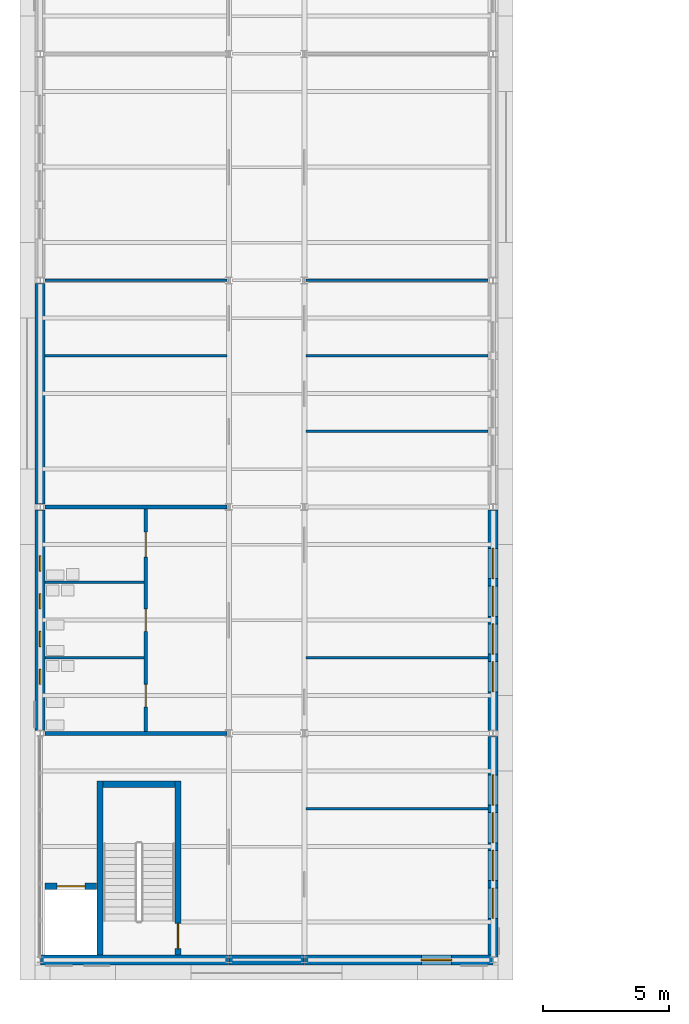
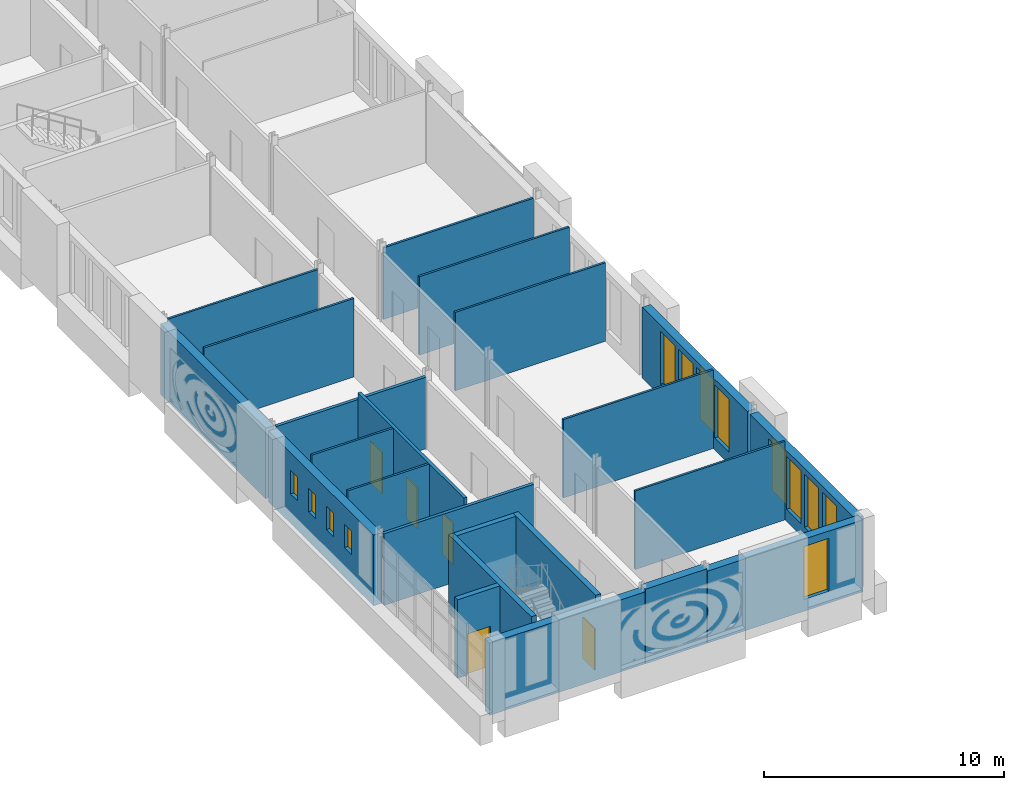
# One storey, part 87 of 121: 23 walls, 13 windows, 5 doors, 18 openings.
"""IFC4 building model written with IfcOpenShell, lengths in metres."""

from ifc_helpers import new_model, si_unit, direction, frame, frame_2d, origin, place, context, subcontext, project, spatial, rectangle, extrude, material, layer, layer_set, type_object, element, fill, save


model = new_model("IFC4")

# Units and contexts
model_context = context("Model", 3, precision=1e-05, world=origin(), true_north=direction((0.0, 1.0)))
body_context = subcontext(model_context, "Body", "Model", "MODEL_VIEW")
ifc_project = project(units=[si_unit("LENGTHUNIT", "METRE"), si_unit("AREAUNIT", "SQUARE_METRE"), si_unit("VOLUMEUNIT", "CUBIC_METRE"), si_unit("PLANEANGLEUNIT", "RADIAN"), si_unit("MASSUNIT", "GRAM", prefix="KILO")], contexts=[model_context])

# Site, building, storey
site_placement = place(None, origin())
site = spatial("IfcSite", under=ifc_project, at=site_placement, CompositionType="ELEMENT")
building_placement = place(site_placement, origin())
building = spatial("IfcBuilding", under=site, at=building_placement, Name="Golden Quay Civic Hall", CompositionType="ELEMENT")
storey_placement = place(building_placement, frame((0.0, 0.0, 18.60009765625)))
storey = spatial("IfcBuildingStorey", under=building, at=storey_placement, Name="L04", CompositionType="ELEMENT", Elevation=18.60009765625)

# Wall
ifc_material_1 = material(Name="Concrete C40/50", Category="concrete")
ifc_layer_1 = layer(ifc_material_1, 0.25)
ifc_layer_set_1 = layer_set([ifc_layer_1], Name="Concrete core wall 250, Concrete C40/50")
wall_type_1 = type_object("IfcWallType", Name="Concrete core wall 250", PredefinedType="SHEAR", material=ifc_layer_set_1)
wall_1_placement = place(storey_placement, frame((2.375, -8.800048828125, 0.0), z_axis=(0.0, 0.0, 1.0), x_axis=(0.0, 1.0, 0.0)))
element("IfcWall", 1, at=wall_1_placement, inside=storey, type_object=wall_type_1, Name="Core wall WO-S-W1", PredefinedType="SHEAR", context=body_context, shape_type="SweptSolid", body=[
    extrude(rectangle(XDim=6.900146484375, YDim=0.25, at=frame_2d((3.4501953125, 0.0))), origin(), (0.0, 0.0, 1.0), 4.0),
])

# Wall, opening, door
wall_2_placement = place(storey_placement, frame((5.47509765625, -8.800048828125, 0.0), z_axis=(0.0, 0.0, 1.0), x_axis=(0.0, 1.0, 0.0)))
wall_2 = element("IfcWall", 2, at=wall_2_placement, inside=storey, type_object=wall_type_1, Name="Core wall WO-S-W2", PredefinedType="SHEAR", context=body_context, shape_type="SweptSolid", body=[
    extrude(rectangle(XDim=6.900146484375, YDim=0.25, at=frame_2d((3.4501953125, 0.0))), origin(), (0.0, 0.0, 1.0), 4.0),
])
opening_1_placement = place(wall_2_placement, frame((0.25, 0.0, 0.0)))
opening_1 = element("IfcOpeningElement", 3, at=opening_1_placement, cuts=wall_2, Name="Opening L04-D026", PredefinedType="OPENING", context=body_context, shape_type="SweptSolid", body=[
    extrude(rectangle(XDim=1.0, YDim=2.10009765625, at=frame_2d((0.5, 1.050048828125))), frame((0.0, 0.135009765625, 0.0), z_axis=(0.0, -1.0, 0.0), x_axis=(1.0, 0.0, 0.0)), (0.0, 0.0, 1.0), 0.27001953125),
])
ifc_material_2 = material(Name="Steel", Category="steel")
door_type_1 = type_object("IfcDoorType", Name="Steel fire door FD60 1000 x 2100", OperationType="SINGLE_SWING_LEFT", PredefinedType="DOOR", material=ifc_material_2)
door_1_placement = place(opening_1_placement, origin())
door_1 = element("IfcDoor", 4, at=door_1_placement, inside=storey, type_object=door_type_1, Name="Door L04-D026", OperationType="SINGLE_SWING_LEFT", OverallHeight=2.10009765625, OverallWidth=1.0, PredefinedType="DOOR", context=body_context, shape_type="SweptSolid", body=[
    extrude(rectangle(XDim=1.0, YDim=2.10009765625, at=frame_2d((0.5, 1.050048828125))), frame((0.0, 0.02490234375, 0.0), z_axis=(0.0, -1.0, 0.0), x_axis=(1.0, 0.0, 0.0)), (0.0, 0.0, 1.0), 0.050048828125),
])
fill(opening_1, door_1)

# Wall
wall_3_placement = place(storey_placement, frame((2.5, -2.02490234375, 0.0), z_axis=(0.0, 0.0, 1.0), x_axis=(1.0, 0.0, 0.0)))
element("IfcWall", 5, at=wall_3_placement, inside=storey, type_object=wall_type_1, Name="Core wall WO-S-W3", PredefinedType="SHEAR", context=body_context, shape_type="SweptSolid", body=[
    extrude(rectangle(XDim=2.85009765625, YDim=0.25, at=frame_2d((1.425048828125, 0.0))), origin(), (0.0, 0.0, 1.0), 4.0),
])

# Wall, opening, door
wall_4_placement = place(storey_placement, frame((0.199951171875, -6.074951171875, 0.0), z_axis=(0.0, 0.0, 1.0), x_axis=(1.0, 0.0, 0.0)))
wall_4 = element("IfcWall", 6, at=wall_4_placement, inside=storey, type_object=wall_type_1, Name="Core wall WO-S-W4", PredefinedType="SHEAR", context=body_context, shape_type="SweptSolid", body=[
    extrude(rectangle(XDim=2.050048828125, YDim=0.25, at=frame_2d((1.02490234375, 0.0))), origin(), (0.0, 0.0, 1.0), 4.0),
])
opening_2_placement = place(wall_4_placement, frame((0.47509765625, 0.0, 0.0)))
opening_2 = element("IfcOpeningElement", 7, at=opening_2_placement, cuts=wall_4, Name="Opening L04-D042", PredefinedType="OPENING", context=body_context, shape_type="SweptSolid", body=[
    extrude(rectangle(XDim=1.10009765625, YDim=2.10009765625, at=frame_2d((0.550048828125, 1.050048828125))), frame((0.0, 0.135009765625, 0.0), z_axis=(0.0, -1.0, 0.0), x_axis=(1.0, 0.0, 0.0)), (0.0, 0.0, 1.0), 0.27001953125),
])
ifc_material_3 = material(Name="Steel", Category="steel")
door_type_2 = type_object("IfcDoorType", Name="Lift landing door 1100 x 2100", OperationType="SLIDING_TO_LEFT", PredefinedType="DOOR", material=ifc_material_3)
door_2_placement = place(opening_2_placement, origin())
door_2 = element("IfcDoor", 8, at=door_2_placement, inside=storey, type_object=door_type_2, Name="Lift landing door L04-D042 WO-S", OperationType="SLIDING_TO_LEFT", OverallHeight=2.10009765625, OverallWidth=1.10009765625, PredefinedType="DOOR", context=body_context, shape_type="SweptSolid", body=[
    extrude(rectangle(XDim=1.10009765625, YDim=2.10009765625, at=frame_2d((0.550048828125, 1.050048828125))), frame((0.0, 0.02490234375, 0.0), z_axis=(0.0, -1.0, 0.0), x_axis=(1.0, 0.0, 0.0)), (0.0, 0.0, 1.0), 0.050048828125),
])
fill(opening_2, door_2)

# Walls
ifc_material_4 = material(Name="Plasterboard on steel studs", Category="steel")
ifc_layer_2 = layer(ifc_material_4, 0.10009765625)
ifc_layer_set_2 = layer_set([ifc_layer_2], Name="Partition 100 stud")
wall_type_2 = type_object("IfcWallType", Name="Partition 100 stud", PredefinedType="PARTITIONING", material=ifc_layer_set_2)
wall_5_placement = place(storey_placement, frame((0.199951171875, 15.0, 0.0), z_axis=(0.0, 0.0, 1.0), x_axis=(1.0, 0.0, 0.0)))
element("IfcWall", 9, at=wall_5_placement, inside=storey, type_object=wall_type_2, Name="Partition L04-001", PredefinedType="PARTITIONING", context=body_context, shape_type="SweptSolid", body=[
    extrude(rectangle(XDim=7.22509765625, YDim=0.10009765625, at=frame_2d((3.612548828125, 0.0))), origin(), (0.0, 0.0, 1.0), 4.0),
])
wall_6_placement = place(storey_placement, frame((0.199951171875, 18.0, 0.0), z_axis=(0.0, 0.0, 1.0), x_axis=(1.0, 0.0, 0.0)))
element("IfcWall", 10, at=wall_6_placement, inside=storey, type_object=wall_type_2, Name="Partition L04-002", PredefinedType="PARTITIONING", context=body_context, shape_type="SweptSolid", body=[
    extrude(rectangle(XDim=7.22509765625, YDim=0.10009765625, at=frame_2d((3.612548828125, 0.0))), origin(), (0.0, 0.0, 1.0), 3.64990234375),
])
for number, where, z_axis, x_axis, name in (
    (11, (10.574951171875, -3.0, 0.0), (0.0, 0.0, 1.0), (1.0, 0.0, 0.0), "Partition L04-009"),
    (12, (10.574951171875, 3.0, 0.0), (0.0, 0.0, 1.0), (1.0, 0.0, 0.0), "Partition L04-010"),
    (13, (10.574951171875, 12.0, 0.0), (0.0, 0.0, 1.0), (1.0, 0.0, 0.0), "Partition L04-011"),
    (14, (10.574951171875, 15.0, 0.0), (0.0, 0.0, 1.0), (1.0, 0.0, 0.0), "Partition L04-012"),
):
    element("IfcWall", number, at=place(storey_placement, frame(where, z_axis=z_axis, x_axis=x_axis)), inside=storey, type_object=wall_type_2, Name=name, PredefinedType="PARTITIONING", context=body_context, shape_type="SweptSolid", body=[
        extrude(rectangle(XDim=7.22509765625, YDim=0.10009765625, at=frame_2d((3.612548828125, 0.0))), origin(), (0.0, 0.0, 1.0), 4.0),
    ])
wall_7_placement = place(storey_placement, frame((10.574951171875, 18.0, 0.0), z_axis=(0.0, 0.0, 1.0), x_axis=(1.0, 0.0, 0.0)))
element("IfcWall", 15, at=wall_7_placement, inside=storey, type_object=wall_type_2, Name="Partition L04-013", PredefinedType="PARTITIONING", context=body_context, shape_type="SweptSolid", body=[
    extrude(rectangle(XDim=7.22509765625, YDim=0.10009765625, at=frame_2d((3.612548828125, 0.0))), origin(), (0.0, 0.0, 1.0), 3.64990234375),
])
for number, where, z_axis, x_axis, name in (
    (16, (0.199951171875, 3.0, 0.0), (0.0, 0.0, 1.0), (1.0, 0.0, 0.0), "Partition L04-034"),
    (17, (0.199951171875, 6.0, 0.0), (0.0, 0.0, 1.0), (1.0, 0.0, 0.0), "Partition L04-035"),
):
    element("IfcWall", number, at=place(storey_placement, frame(where, z_axis=z_axis, x_axis=x_axis)), inside=storey, type_object=wall_type_2, Name=name, PredefinedType="PARTITIONING", context=body_context, shape_type="SweptSolid", body=[
        extrude(rectangle(XDim=3.925048828125, YDim=0.10009765625, at=frame_2d((1.96240234375, 0.0))), origin(), (0.0, 0.0, 1.0), 4.0),
    ])
ifc_material_5 = material(Name="Plasterboard on steel studs", Category="steel")
ifc_layer_3 = layer(ifc_material_5, 0.14990234375)
ifc_layer_set_3 = layer_set([ifc_layer_3], Name="Partition 150 stud fire EI 60")
wall_type_3 = type_object("IfcWallType", Name="Partition 150 stud fire EI 60", PredefinedType="PARTITIONING", material=ifc_layer_set_3)
for number, where, z_axis, x_axis, name in (
    (18, (0.199951171875, 9.0, 0.0), (0.0, 0.0, 1.0), (1.0, 0.0, 0.0), "Partition L04-000"),
    (19, (0.199951171875, 0.0, 0.0), (0.0, 0.0, 1.0), (1.0, 0.0, 0.0), "Partition L04-023"),
):
    element("IfcWall", number, at=place(storey_placement, frame(where, z_axis=z_axis, x_axis=x_axis)), inside=storey, type_object=wall_type_3, Name=name, PredefinedType="PARTITIONING", context=body_context, shape_type="SweptSolid", body=[
        extrude(rectangle(XDim=7.22509765625, YDim=0.14990234375, at=frame_2d((3.612548828125, 0.0))), origin(), (0.0, 0.0, 1.0), 3.64990234375),
    ])

# Wall, openings, doors
wall_8_placement = place(storey_placement, frame((4.199951171875, 0.074951171875, 0.0), z_axis=(0.0, 0.0, 1.0), x_axis=(0.0, 1.0, 0.0)))
wall_8 = element("IfcWall", 20, at=wall_8_placement, inside=storey, type_object=wall_type_3, Name="Partition L04-033", PredefinedType="PARTITIONING", context=body_context, shape_type="SweptSolid", body=[
    extrude(rectangle(XDim=8.85009765625, YDim=0.14990234375, at=frame_2d((4.425048828125, 0.0))), origin(), (0.0, 0.0, 1.0), 4.0),
])
opening_3_placement = place(wall_8_placement, frame((0.97509765625, 0.0, 0.0)))
opening_3 = element("IfcOpeningElement", 21, at=opening_3_placement, cuts=wall_8, Name="Opening L04-D023", PredefinedType="OPENING", context=body_context, shape_type="SweptSolid", body=[
    extrude(rectangle(XDim=0.89990234375, YDim=2.10009765625, at=frame_2d((0.449951171875, 1.050048828125))), frame((0.0, 0.0849609375, 0.0), z_axis=(0.0, -1.0, 0.0), x_axis=(1.0, 0.0, 0.0)), (0.0, 0.0, 1.0), 0.169921875),
])
opening_4_placement = place(wall_8_placement, frame((3.97509765625, 0.0, 0.0)))
opening_4 = element("IfcOpeningElement", 22, at=opening_4_placement, cuts=wall_8, Name="Opening L04-D024", PredefinedType="OPENING", context=body_context, shape_type="SweptSolid", body=[
    extrude(rectangle(XDim=0.89990234375, YDim=2.10009765625, at=frame_2d((0.449951171875, 1.050048828125))), frame((0.0, 0.0849609375, 0.0), z_axis=(0.0, -1.0, 0.0), x_axis=(1.0, 0.0, 0.0)), (0.0, 0.0, 1.0), 0.169921875),
])
opening_5_placement = place(wall_8_placement, frame((6.925048828125, 0.0, 0.0)))
opening_5 = element("IfcOpeningElement", 23, at=opening_5_placement, cuts=wall_8, Name="Opening L04-D025", PredefinedType="OPENING", context=body_context, shape_type="SweptSolid", body=[
    extrude(rectangle(XDim=1.0, YDim=2.10009765625, at=frame_2d((0.5, 1.050048828125))), frame((0.0, 0.0849609375, 0.0), z_axis=(0.0, -1.0, 0.0), x_axis=(1.0, 0.0, 0.0)), (0.0, 0.0, 1.0), 0.169921875),
])
ifc_material_6 = material(Name="Timber", Category="wood")
door_type_3 = type_object("IfcDoorType", Name="Timber door 1000 x 2100", OperationType="SINGLE_SWING_LEFT", PredefinedType="DOOR", material=ifc_material_6)
door_3_placement = place(opening_5_placement, origin())
door_3 = element("IfcDoor", 24, at=door_3_placement, inside=storey, type_object=door_type_3, Name="Door L04-D025", OperationType="SINGLE_SWING_LEFT", OverallHeight=2.10009765625, OverallWidth=1.0, PredefinedType="DOOR", context=body_context, shape_type="SweptSolid", body=[
    extrude(rectangle(XDim=1.0, YDim=2.10009765625, at=frame_2d((0.5, 1.050048828125))), frame((0.0, 0.02490234375, 0.0), z_axis=(0.0, -1.0, 0.0), x_axis=(1.0, 0.0, 0.0)), (0.0, 0.0, 1.0), 0.050048828125),
])
fill(opening_5, door_3)
ifc_material_7 = material(Name="Timber", Category="wood")
door_type_4 = type_object("IfcDoorType", Name="Timber door 900 x 2100", OperationType="SINGLE_SWING_LEFT", PredefinedType="DOOR", material=ifc_material_7)
door_4_placement = place(opening_3_placement, origin())
door_4 = element("IfcDoor", 25, at=door_4_placement, inside=storey, type_object=door_type_4, Name="Door L04-D023", OperationType="SINGLE_SWING_LEFT", OverallHeight=2.10009765625, OverallWidth=0.89990234375, PredefinedType="DOOR", context=body_context, shape_type="SweptSolid", body=[
    extrude(rectangle(XDim=0.89990234375, YDim=2.10009765625, at=frame_2d((0.449951171875, 1.050048828125))), frame((0.0, 0.02490234375, 0.0), z_axis=(0.0, -1.0, 0.0), x_axis=(1.0, 0.0, 0.0)), (0.0, 0.0, 1.0), 0.050048828125),
])
fill(opening_3, door_4)
door_5_placement = place(opening_4_placement, origin())
door_5 = element("IfcDoor", 26, at=door_5_placement, inside=storey, type_object=door_type_4, Name="Door L04-D024", OperationType="SINGLE_SWING_LEFT", OverallHeight=2.10009765625, OverallWidth=0.89990234375, PredefinedType="DOOR", context=body_context, shape_type="SweptSolid", body=[
    extrude(rectangle(XDim=0.89990234375, YDim=2.10009765625, at=frame_2d((0.449951171875, 1.050048828125))), frame((0.0, 0.02490234375, 0.0), z_axis=(0.0, -1.0, 0.0), x_axis=(1.0, 0.0, 0.0)), (0.0, 0.0, 1.0), 0.050048828125),
])
fill(opening_4, door_5)

# Wall, openings, windows
ifc_material_8 = material(Name="Clay block, rendered, cream")
ifc_layer_4 = layer(ifc_material_8, 0.39990234375)
ifc_layer_set_4 = layer_set([ifc_layer_4], Name="Rendered block external wall 400")
wall_type_4 = type_object("IfcWallType", Name="Rendered block external wall 400", PredefinedType="STANDARD", material=ifc_layer_set_4)
wall_9_placement = place(storey_placement, frame((0.0, 0.114990234375, 0.0), z_axis=(0.0, 0.0, 1.0), x_axis=(0.0, 1.0, 0.0)))
wall_9 = element("IfcWall", 27, at=wall_9_placement, inside=storey, type_object=wall_type_4, Name="Rendered block external wall 400 L04 1", PredefinedType="STANDARD", context=body_context, shape_type="SweptSolid", body=[
    extrude(rectangle(XDim=8.77001953125, YDim=0.39990234375, at=frame_2d((4.385009765625, 0.0))), origin(), (0.0, 0.0, 1.0), 3.599853515625),
])
opening_6_placement = place(wall_9_placement, frame((1.8349609375, 0.0, 1.5)))
opening_6 = element("IfcOpeningElement", 28, at=opening_6_placement, cuts=wall_9, Name="Opening WN1", PredefinedType="OPENING", context=body_context, shape_type="SweptSolid", body=[
    extrude(rectangle(XDim=0.60009765625, YDim=1.199951171875, at=frame_2d((0.300048828125, 0.60009765625))), frame((0.0, 0.2099609375, 0.0), z_axis=(0.0, -1.0, 0.0), x_axis=(1.0, 0.0, 0.0)), (0.0, 0.0, 1.0), 0.419921875),
])
opening_7_placement = place(wall_9_placement, frame((3.3349609375, 0.0, 1.5)))
opening_7 = element("IfcOpeningElement", 29, at=opening_7_placement, cuts=wall_9, Name="Opening WN1", PredefinedType="OPENING", context=body_context, shape_type="SweptSolid", body=[
    extrude(rectangle(XDim=0.60009765625, YDim=1.199951171875, at=frame_2d((0.300048828125, 0.60009765625))), frame((0.0, 0.2099609375, 0.0), z_axis=(0.0, -1.0, 0.0), x_axis=(1.0, 0.0, 0.0)), (0.0, 0.0, 1.0), 0.419921875),
])
opening_8_placement = place(wall_9_placement, frame((4.8349609375, 0.0, 1.5)))
opening_8 = element("IfcOpeningElement", 30, at=opening_8_placement, cuts=wall_9, Name="Opening WN1", PredefinedType="OPENING", context=body_context, shape_type="SweptSolid", body=[
    extrude(rectangle(XDim=0.60009765625, YDim=1.199951171875, at=frame_2d((0.300048828125, 0.60009765625))), frame((0.0, 0.2099609375, 0.0), z_axis=(0.0, -1.0, 0.0), x_axis=(1.0, 0.0, 0.0)), (0.0, 0.0, 1.0), 0.419921875),
])
opening_9_placement = place(wall_9_placement, frame((6.3349609375, 0.0, 1.5)))
opening_9 = element("IfcOpeningElement", 31, at=opening_9_placement, cuts=wall_9, Name="Opening WN1", PredefinedType="OPENING", context=body_context, shape_type="SweptSolid", body=[
    extrude(rectangle(XDim=0.60009765625, YDim=1.199951171875, at=frame_2d((0.300048828125, 0.60009765625))), frame((0.0, 0.2099609375, 0.0), z_axis=(0.0, -1.0, 0.0), x_axis=(1.0, 0.0, 0.0)), (0.0, 0.0, 1.0), 0.419921875),
])
ifc_material_9 = material(Name="Aluminium frame, double glazed", Category="aluminium")
window_type_1 = type_object("IfcWindowType", Name="WC window 600 x 1200", PartitioningType="SINGLE_PANEL", PredefinedType="WINDOW", material=ifc_material_9)
window_1_placement = place(opening_6_placement, origin())
window_1 = element("IfcWindow", 32, at=window_1_placement, inside=storey, type_object=window_type_1, Name="WC window 600 x 1200 L04 1", OverallHeight=1.199951171875, OverallWidth=0.60009765625, PartitioningType="SINGLE_PANEL", PredefinedType="WINDOW", context=body_context, shape_type="SweptSolid", body=[
    extrude(rectangle(XDim=0.60009765625, YDim=1.199951171875, at=frame_2d((0.300048828125, 0.60009765625))), frame((0.0, 0.030029296875, 0.0), z_axis=(0.0, -1.0, 0.0), x_axis=(1.0, 0.0, 0.0)), (0.0, 0.0, 1.0), 0.06005859375),
])
fill(opening_6, window_1)
window_2_placement = place(opening_7_placement, origin())
window_2 = element("IfcWindow", 33, at=window_2_placement, inside=storey, type_object=window_type_1, Name="WC window 600 x 1200 L04 2", OverallHeight=1.199951171875, OverallWidth=0.60009765625, PartitioningType="SINGLE_PANEL", PredefinedType="WINDOW", context=body_context, shape_type="SweptSolid", body=[
    extrude(rectangle(XDim=0.60009765625, YDim=1.199951171875, at=frame_2d((0.300048828125, 0.60009765625))), frame((0.0, 0.030029296875, 0.0), z_axis=(0.0, -1.0, 0.0), x_axis=(1.0, 0.0, 0.0)), (0.0, 0.0, 1.0), 0.06005859375),
])
fill(opening_7, window_2)
window_3_placement = place(opening_8_placement, origin())
window_3 = element("IfcWindow", 34, at=window_3_placement, inside=storey, type_object=window_type_1, Name="WC window 600 x 1200 L04 3", OverallHeight=1.199951171875, OverallWidth=0.60009765625, PartitioningType="SINGLE_PANEL", PredefinedType="WINDOW", context=body_context, shape_type="SweptSolid", body=[
    extrude(rectangle(XDim=0.60009765625, YDim=1.199951171875, at=frame_2d((0.300048828125, 0.60009765625))), frame((0.0, 0.030029296875, 0.0), z_axis=(0.0, -1.0, 0.0), x_axis=(1.0, 0.0, 0.0)), (0.0, 0.0, 1.0), 0.06005859375),
])
fill(opening_8, window_3)
window_4_placement = place(opening_9_placement, origin())
window_4 = element("IfcWindow", 35, at=window_4_placement, inside=storey, type_object=window_type_1, Name="WC window 600 x 1200 L04 4", OverallHeight=1.199951171875, OverallWidth=0.60009765625, PartitioningType="SINGLE_PANEL", PredefinedType="WINDOW", context=body_context, shape_type="SweptSolid", body=[
    extrude(rectangle(XDim=0.60009765625, YDim=1.199951171875, at=frame_2d((0.300048828125, 0.60009765625))), frame((0.0, 0.030029296875, 0.0), z_axis=(0.0, -1.0, 0.0), x_axis=(1.0, 0.0, 0.0)), (0.0, 0.0, 1.0), 0.06005859375),
])
fill(opening_9, window_4)

# Wall
wall_10_placement = place(storey_placement, frame((0.0, 9.114990234375, 0.0), z_axis=(0.0, 0.0, 1.0), x_axis=(0.0, 1.0, 0.0)))
element("IfcWall", 36, at=wall_10_placement, inside=storey, type_object=wall_type_4, Name="Rendered block external wall 400 L04 2", PredefinedType="STANDARD", context=body_context, shape_type="SweptSolid", body=[
    extrude(rectangle(XDim=8.77001953125, YDim=0.39990234375, at=frame_2d((4.385009765625, 0.0))), origin(), (0.0, 0.0, 1.0), 3.599853515625),
])

# Wall, openings, windows
wall_11_placement = place(storey_placement, frame((18.0, -0.114990234375, 0.0), z_axis=(0.0, 0.0, 1.0), x_axis=(0.0, -1.0, 0.0)))
wall_11 = element("IfcWall", 37, at=wall_11_placement, inside=storey, type_object=wall_type_4, Name="Rendered block external wall 400 L04 12", PredefinedType="STANDARD", context=body_context, shape_type="SweptSolid", body=[
    extrude(rectangle(XDim=8.77001953125, YDim=0.39990234375, at=frame_2d((4.385009765625, 0.0))), origin(), (0.0, 0.0, 1.0), 3.599853515625),
])
opening_10_placement = place(wall_11_placement, frame((6.034912109375, 0.0, 0.60009765625)))
opening_10 = element("IfcOpeningElement", 38, at=opening_10_placement, cuts=wall_11, Name="Opening WN8", PredefinedType="OPENING", context=body_context, shape_type="SweptSolid", body=[
    extrude(rectangle(XDim=1.199951171875, YDim=2.699951171875, at=frame_2d((0.60009765625, 1.35009765625))), frame((0.0, 0.2099609375, 0.0), z_axis=(0.0, -1.0, 0.0), x_axis=(1.0, 0.0, 0.0)), (0.0, 0.0, 1.0), 0.419921875),
])
opening_11_placement = place(wall_11_placement, frame((4.534912109375, 0.0, 0.60009765625)))
opening_11 = element("IfcOpeningElement", 39, at=opening_11_placement, cuts=wall_11, Name="Opening WN8", PredefinedType="OPENING", context=body_context, shape_type="SweptSolid", body=[
    extrude(rectangle(XDim=1.199951171875, YDim=2.699951171875, at=frame_2d((0.60009765625, 1.35009765625))), frame((0.0, 0.2099609375, 0.0), z_axis=(0.0, -1.0, 0.0), x_axis=(1.0, 0.0, 0.0)), (0.0, 0.0, 1.0), 0.419921875),
])
opening_12_placement = place(wall_11_placement, frame((3.034912109375, 0.0, 0.60009765625)))
opening_12 = element("IfcOpeningElement", 40, at=opening_12_placement, cuts=wall_11, Name="Opening WN8", PredefinedType="OPENING", context=body_context, shape_type="SweptSolid", body=[
    extrude(rectangle(XDim=1.199951171875, YDim=2.699951171875, at=frame_2d((0.60009765625, 1.35009765625))), frame((0.0, 0.2099609375, 0.0), z_axis=(0.0, -1.0, 0.0), x_axis=(1.0, 0.0, 0.0)), (0.0, 0.0, 1.0), 0.419921875),
])
opening_13_placement = place(wall_11_placement, frame((1.534912109375, 0.0, 0.60009765625)))
opening_13 = element("IfcOpeningElement", 41, at=opening_13_placement, cuts=wall_11, Name="Opening WN8", PredefinedType="OPENING", context=body_context, shape_type="SweptSolid", body=[
    extrude(rectangle(XDim=1.199951171875, YDim=2.699951171875, at=frame_2d((0.60009765625, 1.35009765625))), frame((0.0, 0.2099609375, 0.0), z_axis=(0.0, -1.0, 0.0), x_axis=(1.0, 0.0, 0.0)), (0.0, 0.0, 1.0), 0.419921875),
])
ifc_material_10 = material(Name="Aluminium frame, double glazed", Category="aluminium")
window_type_2 = type_object("IfcWindowType", Name="Golden grid window 1200 x 2700", PartitioningType="SINGLE_PANEL", PredefinedType="WINDOW", material=ifc_material_10)
window_5_placement = place(opening_10_placement, origin())
window_5 = element("IfcWindow", 42, at=window_5_placement, inside=storey, type_object=window_type_2, Name="Golden grid window 1200 x 2700 L04 14", OverallHeight=2.699951171875, OverallWidth=1.199951171875, PartitioningType="SINGLE_PANEL", PredefinedType="WINDOW", context=body_context, shape_type="SweptSolid", body=[
    extrude(rectangle(XDim=1.199951171875, YDim=2.699951171875, at=frame_2d((0.60009765625, 1.35009765625))), frame((0.0, 0.030029296875, 0.0), z_axis=(0.0, -1.0, 0.0), x_axis=(1.0, 0.0, 0.0)), (0.0, 0.0, 1.0), 0.06005859375),
])
fill(opening_10, window_5)
window_6_placement = place(opening_11_placement, origin())
window_6 = element("IfcWindow", 43, at=window_6_placement, inside=storey, type_object=window_type_2, Name="Golden grid window 1200 x 2700 L04 15", OverallHeight=2.699951171875, OverallWidth=1.199951171875, PartitioningType="SINGLE_PANEL", PredefinedType="WINDOW", context=body_context, shape_type="SweptSolid", body=[
    extrude(rectangle(XDim=1.199951171875, YDim=2.699951171875, at=frame_2d((0.60009765625, 1.35009765625))), frame((0.0, 0.030029296875, 0.0), z_axis=(0.0, -1.0, 0.0), x_axis=(1.0, 0.0, 0.0)), (0.0, 0.0, 1.0), 0.06005859375),
])
fill(opening_11, window_6)
window_7_placement = place(opening_12_placement, origin())
window_7 = element("IfcWindow", 44, at=window_7_placement, inside=storey, type_object=window_type_2, Name="Golden grid window 1200 x 2700 L04 16", OverallHeight=2.699951171875, OverallWidth=1.199951171875, PartitioningType="SINGLE_PANEL", PredefinedType="WINDOW", context=body_context, shape_type="SweptSolid", body=[
    extrude(rectangle(XDim=1.199951171875, YDim=2.699951171875, at=frame_2d((0.60009765625, 1.35009765625))), frame((0.0, 0.030029296875, 0.0), z_axis=(0.0, -1.0, 0.0), x_axis=(1.0, 0.0, 0.0)), (0.0, 0.0, 1.0), 0.06005859375),
])
fill(opening_12, window_7)
window_8_placement = place(opening_13_placement, origin())
window_8 = element("IfcWindow", 45, at=window_8_placement, inside=storey, type_object=window_type_2, Name="Golden grid window 1200 x 2700 L04 17", OverallHeight=2.699951171875, OverallWidth=1.199951171875, PartitioningType="SINGLE_PANEL", PredefinedType="WINDOW", context=body_context, shape_type="SweptSolid", body=[
    extrude(rectangle(XDim=1.199951171875, YDim=2.699951171875, at=frame_2d((0.60009765625, 1.35009765625))), frame((0.0, 0.030029296875, 0.0), z_axis=(0.0, -1.0, 0.0), x_axis=(1.0, 0.0, 0.0)), (0.0, 0.0, 1.0), 0.06005859375),
])
fill(opening_13, window_8)

wall_12_placement = place(storey_placement, frame((18.0, 8.885009765625, 0.0), z_axis=(0.0, 0.0, 1.0), x_axis=(0.0, -1.0, 0.0)))
wall_12 = element("IfcWall", 46, at=wall_12_placement, inside=storey, type_object=wall_type_4, Name="Rendered block external wall 400 L04 13", PredefinedType="STANDARD", context=body_context, shape_type="SweptSolid", body=[
    extrude(rectangle(XDim=8.77001953125, YDim=0.39990234375, at=frame_2d((4.385009765625, 0.0))), origin(), (0.0, 0.0, 1.0), 3.599853515625),
])
opening_14_placement = place(wall_12_placement, frame((6.034912109375, 0.0, 0.60009765625)))
opening_14 = element("IfcOpeningElement", 47, at=opening_14_placement, cuts=wall_12, Name="Opening WN8", PredefinedType="OPENING", context=body_context, shape_type="SweptSolid", body=[
    extrude(rectangle(XDim=1.199951171875, YDim=2.699951171875, at=frame_2d((0.60009765625, 1.35009765625))), frame((0.0, 0.2099609375, 0.0), z_axis=(0.0, -1.0, 0.0), x_axis=(1.0, 0.0, 0.0)), (0.0, 0.0, 1.0), 0.419921875),
])
opening_15_placement = place(wall_12_placement, frame((4.534912109375, 0.0, 0.60009765625)))
opening_15 = element("IfcOpeningElement", 48, at=opening_15_placement, cuts=wall_12, Name="Opening WN8", PredefinedType="OPENING", context=body_context, shape_type="SweptSolid", body=[
    extrude(rectangle(XDim=1.199951171875, YDim=2.699951171875, at=frame_2d((0.60009765625, 1.35009765625))), frame((0.0, 0.2099609375, 0.0), z_axis=(0.0, -1.0, 0.0), x_axis=(1.0, 0.0, 0.0)), (0.0, 0.0, 1.0), 0.419921875),
])
opening_16_placement = place(wall_12_placement, frame((3.034912109375, 0.0, 0.60009765625)))
opening_16 = element("IfcOpeningElement", 49, at=opening_16_placement, cuts=wall_12, Name="Opening WN8", PredefinedType="OPENING", context=body_context, shape_type="SweptSolid", body=[
    extrude(rectangle(XDim=1.199951171875, YDim=2.699951171875, at=frame_2d((0.60009765625, 1.35009765625))), frame((0.0, 0.2099609375, 0.0), z_axis=(0.0, -1.0, 0.0), x_axis=(1.0, 0.0, 0.0)), (0.0, 0.0, 1.0), 0.419921875),
])
opening_17_placement = place(wall_12_placement, frame((1.534912109375, 0.0, 0.60009765625)))
opening_17 = element("IfcOpeningElement", 50, at=opening_17_placement, cuts=wall_12, Name="Opening WN8", PredefinedType="OPENING", context=body_context, shape_type="SweptSolid", body=[
    extrude(rectangle(XDim=1.199951171875, YDim=2.699951171875, at=frame_2d((0.60009765625, 1.35009765625))), frame((0.0, 0.2099609375, 0.0), z_axis=(0.0, -1.0, 0.0), x_axis=(1.0, 0.0, 0.0)), (0.0, 0.0, 1.0), 0.419921875),
])
window_9_placement = place(opening_14_placement, origin())
window_9 = element("IfcWindow", 51, at=window_9_placement, inside=storey, type_object=window_type_2, Name="Golden grid window 1200 x 2700 L04 18", OverallHeight=2.699951171875, OverallWidth=1.199951171875, PartitioningType="SINGLE_PANEL", PredefinedType="WINDOW", context=body_context, shape_type="SweptSolid", body=[
    extrude(rectangle(XDim=1.199951171875, YDim=2.699951171875, at=frame_2d((0.60009765625, 1.35009765625))), frame((0.0, 0.030029296875, 0.0), z_axis=(0.0, -1.0, 0.0), x_axis=(1.0, 0.0, 0.0)), (0.0, 0.0, 1.0), 0.06005859375),
])
fill(opening_14, window_9)
window_10_placement = place(opening_15_placement, origin())
window_10 = element("IfcWindow", 52, at=window_10_placement, inside=storey, type_object=window_type_2, Name="Golden grid window 1200 x 2700 L04 19", OverallHeight=2.699951171875, OverallWidth=1.199951171875, PartitioningType="SINGLE_PANEL", PredefinedType="WINDOW", context=body_context, shape_type="SweptSolid", body=[
    extrude(rectangle(XDim=1.199951171875, YDim=2.699951171875, at=frame_2d((0.60009765625, 1.35009765625))), frame((0.0, 0.030029296875, 0.0), z_axis=(0.0, -1.0, 0.0), x_axis=(1.0, 0.0, 0.0)), (0.0, 0.0, 1.0), 0.06005859375),
])
fill(opening_15, window_10)
window_11_placement = place(opening_16_placement, origin())
window_11 = element("IfcWindow", 53, at=window_11_placement, inside=storey, type_object=window_type_2, Name="Golden grid window 1200 x 2700 L04 20", OverallHeight=2.699951171875, OverallWidth=1.199951171875, PartitioningType="SINGLE_PANEL", PredefinedType="WINDOW", context=body_context, shape_type="SweptSolid", body=[
    extrude(rectangle(XDim=1.199951171875, YDim=2.699951171875, at=frame_2d((0.60009765625, 1.35009765625))), frame((0.0, 0.030029296875, 0.0), z_axis=(0.0, -1.0, 0.0), x_axis=(1.0, 0.0, 0.0)), (0.0, 0.0, 1.0), 0.06005859375),
])
fill(opening_16, window_11)
window_12_placement = place(opening_17_placement, origin())
window_12 = element("IfcWindow", 54, at=window_12_placement, inside=storey, type_object=window_type_2, Name="Golden grid window 1200 x 2700 L04 21", OverallHeight=2.699951171875, OverallWidth=1.199951171875, PartitioningType="SINGLE_PANEL", PredefinedType="WINDOW", context=body_context, shape_type="SweptSolid", body=[
    extrude(rectangle(XDim=1.199951171875, YDim=2.699951171875, at=frame_2d((0.60009765625, 1.35009765625))), frame((0.0, 0.030029296875, 0.0), z_axis=(0.0, -1.0, 0.0), x_axis=(1.0, 0.0, 0.0)), (0.0, 0.0, 1.0), 0.06005859375),
])
fill(opening_17, window_12)

# Wall
wall_13_placement = place(storey_placement, frame((10.4912109375, -9.0, 0.0), z_axis=(0.0, 0.0, 1.0), x_axis=(-1.0, 0.0, 0.0)))
element("IfcWall", 55, at=wall_13_placement, inside=storey, type_object=wall_type_4, Name="Rendered block external wall 400 L04 19", PredefinedType="STANDARD", context=body_context, shape_type="SweptSolid", body=[
    extrude(rectangle(XDim=2.982421875, YDim=0.39990234375, at=frame_2d((1.4912109375, 0.0))), origin(), (0.0, 0.0, 1.0), 3.7998046875),
])

# Wall, opening, window
wall_14_placement = place(storey_placement, frame((17.9912109375, -9.0, 0.0), z_axis=(0.0, 0.0, 1.0), x_axis=(-1.0, 0.0, 0.0)))
wall_14 = element("IfcWall", 56, at=wall_14_placement, inside=storey, type_object=wall_type_4, Name="Rendered block external wall 400 L04 20", PredefinedType="STANDARD", context=body_context, shape_type="SweptSolid", body=[
    extrude(rectangle(XDim=7.482421875, YDim=0.39990234375, at=frame_2d((3.7412109375, 0.0))), origin(), (0.0, 0.0, 1.0), 3.669921875),
])
opening_18_placement = place(wall_14_placement, frame((1.641357421875, 0.0, 0.60009765625)))
opening_18 = element("IfcOpeningElement", 57, at=opening_18_placement, cuts=wall_14, Name="Opening WN8", PredefinedType="OPENING", context=body_context, shape_type="SweptSolid", body=[
    extrude(rectangle(XDim=1.199951171875, YDim=2.699951171875, at=frame_2d((0.60009765625, 1.35009765625))), frame((0.0, 0.2099609375, 0.0), z_axis=(0.0, -1.0, 0.0), x_axis=(1.0, 0.0, 0.0)), (0.0, 0.0, 1.0), 0.419921875),
])
window_13_placement = place(opening_18_placement, origin())
window_13 = element("IfcWindow", 58, at=window_13_placement, inside=storey, type_object=window_type_2, Name="Golden grid window 1200 x 2700 L04 34", OverallHeight=2.699951171875, OverallWidth=1.199951171875, PartitioningType="SINGLE_PANEL", PredefinedType="WINDOW", context=body_context, shape_type="SweptSolid", body=[
    extrude(rectangle(XDim=1.199951171875, YDim=2.699951171875, at=frame_2d((0.60009765625, 1.35009765625))), frame((0.0, 0.030029296875, 0.0), z_axis=(0.0, -1.0, 0.0), x_axis=(1.0, 0.0, 0.0)), (0.0, 0.0, 1.0), 0.06005859375),
])
fill(opening_18, window_13)

# Wall
ifc_material_11 = material(Name="Clay block, rendered, cream")
ifc_layer_5 = layer(ifc_material_11, 0.39990234375)
ifc_layer_set_5 = layer_set([ifc_layer_5], Name="Rendered block external wall 400 fire EI 60")
wall_type_5 = type_object("IfcWallType", Name="Rendered block external wall 400 fire EI 60", PredefinedType="STANDARD", material=ifc_layer_set_5)
wall_15_placement = place(storey_placement, frame((7.4912109375, -9.0, 0.0), z_axis=(0.0, 0.0, 1.0), x_axis=(-1.0, 0.0, 0.0)))
element("IfcWall", 59, at=wall_15_placement, inside=storey, type_object=wall_type_5, Name="Rendered block external wall 400 fire EI 60 L04 3", PredefinedType="STANDARD", context=body_context, shape_type="SweptSolid", body=[
    extrude(rectangle(XDim=7.482421875, YDim=0.39990234375, at=frame_2d((3.7412109375, 0.0))), origin(), (0.0, 0.0, 1.0), 3.669921875),
])

save(model, "model.ifc")
